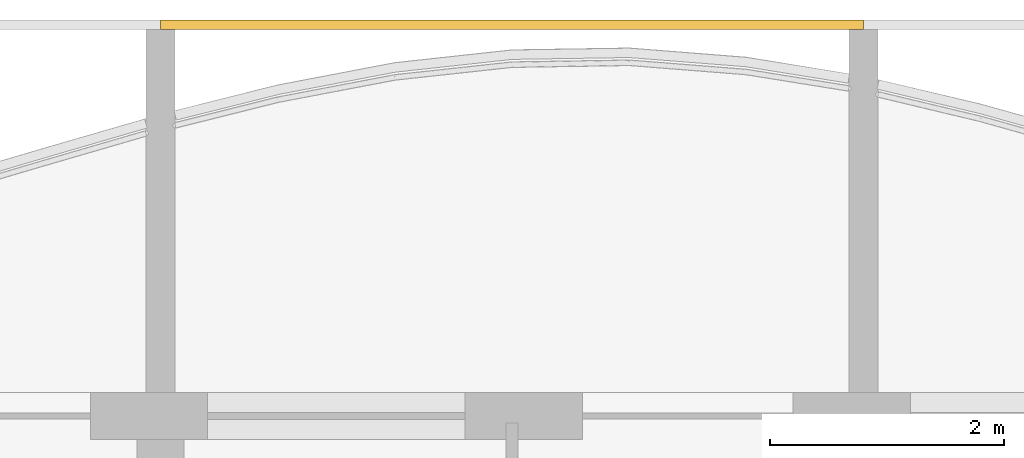
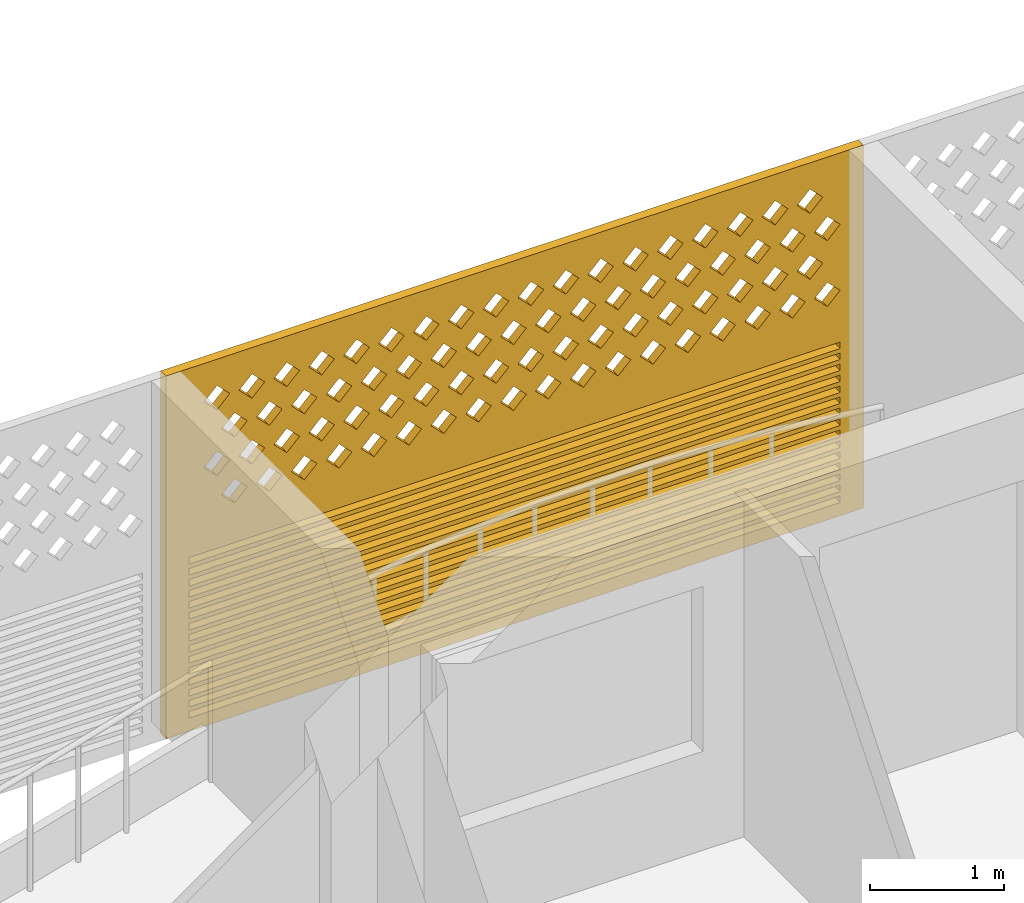
# One storey, part 22 of 39: 1 covering.
"""IFC4 building model written with IfcOpenShell, lengths in metres."""

from ifc_helpers import new_model, si_unit, direction, frame, origin, place, context, subcontext, project, spatial, polyline, outline, extrude, source, transform, mapped, material, material_profile, profile_set, type_object, element, save


model = new_model("IFC4")

# Units and contexts
model_context = context("Model", 3, precision=1e-05, world=origin(), true_north=direction((0.0, 1.0)))
body_context = subcontext(model_context, "Body", "Model", "MODEL_VIEW")
ifc_project = project(units=[si_unit("LENGTHUNIT", "METRE"), si_unit("AREAUNIT", "SQUARE_METRE"), si_unit("VOLUMEUNIT", "CUBIC_METRE"), si_unit("PLANEANGLEUNIT", "RADIAN"), si_unit("MASSUNIT", "GRAM", prefix="KILO")], contexts=[model_context])

# Site, building, storey
site_placement = place(None, origin())
site = spatial("IfcSite", under=ifc_project, at=site_placement, CompositionType="ELEMENT")
building_placement = place(site_placement, origin())
building = spatial("IfcBuilding", under=site, at=building_placement, Name="Poui Terraces", CompositionType="ELEMENT")
storey_placement = place(building_placement, frame((0.0, 0.0, 59.699951171875)))
storey = spatial("IfcBuildingStorey", under=building, at=storey_placement, Name="L16", CompositionType="ELEMENT", Elevation=59.699951171875)

# Covering
ifc_material = material(Name="Terracotta screen", Category="masonry")
ifc_material_profile = material_profile(ifc_material, outline(polyline([(-3.0, -1.64990234375), (3.0, -1.64990234375), (3.0, 1.64990234375), (-3.0, 1.64990234375), (-3.0, -1.64990234375)]), holes=[polyline([(-2.800048828125, 0.39990234375), (-2.68994140625, 0.2900390625), (-2.580078125, 0.39990234375), (-2.68994140625, 0.510009765625), (-2.800048828125, 0.39990234375)]), polyline([(-2.5, 0.39990234375), (-2.389892578125, 0.2900390625), (-2.280029296875, 0.39990234375), (-2.389892578125, 0.510009765625), (-2.5, 0.39990234375)]), polyline([(-2.199951171875, 0.39990234375), (-2.090087890625, 0.2900390625), (-1.97998046875, 0.39990234375), (-2.090087890625, 0.510009765625), (-2.199951171875, 0.39990234375)]), polyline([(-1.89990234375, 0.39990234375), (-1.7900390625, 0.2900390625), (-1.679931640625, 0.39990234375), (-1.7900390625, 0.510009765625), (-1.89990234375, 0.39990234375)]), polyline([(-1.60009765625, 0.39990234375), (-1.489990234375, 0.2900390625), (-1.3798828125, 0.39990234375), (-1.489990234375, 0.510009765625), (-1.60009765625, 0.39990234375)]), polyline([(-1.300048828125, 0.39990234375), (-1.18994140625, 0.2900390625), (-1.080078125, 0.39990234375), (-1.18994140625, 0.510009765625), (-1.300048828125, 0.39990234375)]), polyline([(-1.0, 0.39990234375), (-0.889892578125, 0.2900390625), (-0.780029296875, 0.39990234375), (-0.889892578125, 0.510009765625), (-1.0, 0.39990234375)]), polyline([(-0.699951171875, 0.39990234375), (-0.590087890625, 0.2900390625), (-0.47998046875, 0.39990234375), (-0.590087890625, 0.510009765625), (-0.699951171875, 0.39990234375)]), polyline([(-0.39990234375, 0.39990234375), (-0.2900390625, 0.2900390625), (-0.179931640625, 0.39990234375), (-0.2900390625, 0.510009765625), (-0.39990234375, 0.39990234375)]), polyline([(-0.10009765625, 0.39990234375), (0.010009765625, 0.2900390625), (0.1201171875, 0.39990234375), (0.010009765625, 0.510009765625), (-0.10009765625, 0.39990234375)]), polyline([(0.199951171875, 0.39990234375), (0.31005859375, 0.2900390625), (0.419921875, 0.39990234375), (0.31005859375, 0.510009765625), (0.199951171875, 0.39990234375)]), polyline([(0.5, 0.39990234375), (0.610107421875, 0.2900390625), (0.719970703125, 0.39990234375), (0.610107421875, 0.510009765625), (0.5, 0.39990234375)]), polyline([(0.800048828125, 0.39990234375), (0.909912109375, 0.2900390625), (1.02001953125, 0.39990234375), (0.909912109375, 0.510009765625), (0.800048828125, 0.39990234375)]), polyline([(1.10009765625, 0.39990234375), (1.2099609375, 0.2900390625), (1.320068359375, 0.39990234375), (1.2099609375, 0.510009765625), (1.10009765625, 0.39990234375)]), polyline([(1.39990234375, 0.39990234375), (1.510009765625, 0.2900390625), (1.6201171875, 0.39990234375), (1.510009765625, 0.510009765625), (1.39990234375, 0.39990234375)]), polyline([(1.699951171875, 0.39990234375), (1.81005859375, 0.2900390625), (1.919921875, 0.39990234375), (1.81005859375, 0.510009765625), (1.699951171875, 0.39990234375)]), polyline([(2.0, 0.39990234375), (2.110107421875, 0.2900390625), (2.219970703125, 0.39990234375), (2.110107421875, 0.510009765625), (2.0, 0.39990234375)]), polyline([(2.300048828125, 0.39990234375), (2.409912109375, 0.2900390625), (2.52001953125, 0.39990234375), (2.409912109375, 0.510009765625), (2.300048828125, 0.39990234375)]), polyline([(-2.64990234375, 0.699951171875), (-2.5400390625, 0.590087890625), (-2.429931640625, 0.699951171875), (-2.5400390625, 0.81005859375), (-2.64990234375, 0.699951171875)]), polyline([(-2.35009765625, 0.699951171875), (-2.239990234375, 0.590087890625), (-2.1298828125, 0.699951171875), (-2.239990234375, 0.81005859375), (-2.35009765625, 0.699951171875)]), polyline([(-2.050048828125, 0.699951171875), (-1.93994140625, 0.590087890625), (-1.830078125, 0.699951171875), (-1.93994140625, 0.81005859375), (-2.050048828125, 0.699951171875)]), polyline([(-1.75, 0.699951171875), (-1.639892578125, 0.590087890625), (-1.530029296875, 0.699951171875), (-1.639892578125, 0.81005859375), (-1.75, 0.699951171875)]), polyline([(-1.449951171875, 0.699951171875), (-1.340087890625, 0.590087890625), (-1.22998046875, 0.699951171875), (-1.340087890625, 0.81005859375), (-1.449951171875, 0.699951171875)]), polyline([(-1.14990234375, 0.699951171875), (-1.0400390625, 0.590087890625), (-0.929931640625, 0.699951171875), (-1.0400390625, 0.81005859375), (-1.14990234375, 0.699951171875)]), polyline([(-0.85009765625, 0.699951171875), (-0.739990234375, 0.590087890625), (-0.6298828125, 0.699951171875), (-0.739990234375, 0.81005859375), (-0.85009765625, 0.699951171875)]), polyline([(-0.550048828125, 0.699951171875), (-0.43994140625, 0.590087890625), (-0.330078125, 0.699951171875), (-0.43994140625, 0.81005859375), (-0.550048828125, 0.699951171875)]), polyline([(-0.25, 0.699951171875), (-0.139892578125, 0.590087890625), (-0.030029296875, 0.699951171875), (-0.139892578125, 0.81005859375), (-0.25, 0.699951171875)]), polyline([(0.050048828125, 0.699951171875), (0.159912109375, 0.590087890625), (0.27001953125, 0.699951171875), (0.159912109375, 0.81005859375), (0.050048828125, 0.699951171875)]), polyline([(0.35009765625, 0.699951171875), (0.4599609375, 0.590087890625), (0.570068359375, 0.699951171875), (0.4599609375, 0.81005859375), (0.35009765625, 0.699951171875)]), polyline([(0.64990234375, 0.699951171875), (0.760009765625, 0.590087890625), (0.8701171875, 0.699951171875), (0.760009765625, 0.81005859375), (0.64990234375, 0.699951171875)]), polyline([(0.949951171875, 0.699951171875), (1.06005859375, 0.590087890625), (1.169921875, 0.699951171875), (1.06005859375, 0.81005859375), (0.949951171875, 0.699951171875)]), polyline([(1.25, 0.699951171875), (1.360107421875, 0.590087890625), (1.469970703125, 0.699951171875), (1.360107421875, 0.81005859375), (1.25, 0.699951171875)]), polyline([(1.550048828125, 0.699951171875), (1.659912109375, 0.590087890625), (1.77001953125, 0.699951171875), (1.659912109375, 0.81005859375), (1.550048828125, 0.699951171875)]), polyline([(1.85009765625, 0.699951171875), (1.9599609375, 0.590087890625), (2.070068359375, 0.699951171875), (1.9599609375, 0.81005859375), (1.85009765625, 0.699951171875)]), polyline([(2.14990234375, 0.699951171875), (2.260009765625, 0.590087890625), (2.3701171875, 0.699951171875), (2.260009765625, 0.81005859375), (2.14990234375, 0.699951171875)]), polyline([(2.449951171875, 0.699951171875), (2.56005859375, 0.590087890625), (2.669921875, 0.699951171875), (2.56005859375, 0.81005859375), (2.449951171875, 0.699951171875)]), polyline([(-2.800048828125, 1.0), (-2.68994140625, 0.889892578125), (-2.580078125, 1.0), (-2.68994140625, 1.110107421875), (-2.800048828125, 1.0)]), polyline([(-2.5, 1.0), (-2.389892578125, 0.889892578125), (-2.280029296875, 1.0), (-2.389892578125, 1.110107421875), (-2.5, 1.0)]), polyline([(-2.199951171875, 1.0), (-2.090087890625, 0.889892578125), (-1.97998046875, 1.0), (-2.090087890625, 1.110107421875), (-2.199951171875, 1.0)]), polyline([(-1.89990234375, 1.0), (-1.7900390625, 0.889892578125), (-1.679931640625, 1.0), (-1.7900390625, 1.110107421875), (-1.89990234375, 1.0)]), polyline([(-1.60009765625, 1.0), (-1.489990234375, 0.889892578125), (-1.3798828125, 1.0), (-1.489990234375, 1.110107421875), (-1.60009765625, 1.0)]), polyline([(-1.300048828125, 1.0), (-1.18994140625, 0.889892578125), (-1.080078125, 1.0), (-1.18994140625, 1.110107421875), (-1.300048828125, 1.0)]), polyline([(-1.0, 1.0), (-0.889892578125, 0.889892578125), (-0.780029296875, 1.0), (-0.889892578125, 1.110107421875), (-1.0, 1.0)]), polyline([(-0.699951171875, 1.0), (-0.590087890625, 0.889892578125), (-0.47998046875, 1.0), (-0.590087890625, 1.110107421875), (-0.699951171875, 1.0)]), polyline([(-0.39990234375, 1.0), (-0.2900390625, 0.889892578125), (-0.179931640625, 1.0), (-0.2900390625, 1.110107421875), (-0.39990234375, 1.0)]), polyline([(-0.10009765625, 1.0), (0.010009765625, 0.889892578125), (0.1201171875, 1.0), (0.010009765625, 1.110107421875), (-0.10009765625, 1.0)]), polyline([(0.199951171875, 1.0), (0.31005859375, 0.889892578125), (0.419921875, 1.0), (0.31005859375, 1.110107421875), (0.199951171875, 1.0)]), polyline([(0.5, 1.0), (0.610107421875, 0.889892578125), (0.719970703125, 1.0), (0.610107421875, 1.110107421875), (0.5, 1.0)]), polyline([(0.800048828125, 1.0), (0.909912109375, 0.889892578125), (1.02001953125, 1.0), (0.909912109375, 1.110107421875), (0.800048828125, 1.0)]), polyline([(1.10009765625, 1.0), (1.2099609375, 0.889892578125), (1.320068359375, 1.0), (1.2099609375, 1.110107421875), (1.10009765625, 1.0)]), polyline([(1.39990234375, 1.0), (1.510009765625, 0.889892578125), (1.6201171875, 1.0), (1.510009765625, 1.110107421875), (1.39990234375, 1.0)]), polyline([(1.699951171875, 1.0), (1.81005859375, 0.889892578125), (1.919921875, 1.0), (1.81005859375, 1.110107421875), (1.699951171875, 1.0)]), polyline([(2.0, 1.0), (2.110107421875, 0.889892578125), (2.219970703125, 1.0), (2.110107421875, 1.110107421875), (2.0, 1.0)]), polyline([(2.300048828125, 1.0), (2.409912109375, 0.889892578125), (2.52001953125, 1.0), (2.409912109375, 1.110107421875), (2.300048828125, 1.0)]), polyline([(-2.64990234375, 1.300048828125), (-2.5400390625, 1.18994140625), (-2.429931640625, 1.300048828125), (-2.5400390625, 1.409912109375), (-2.64990234375, 1.300048828125)]), polyline([(-2.35009765625, 1.300048828125), (-2.239990234375, 1.18994140625), (-2.1298828125, 1.300048828125), (-2.239990234375, 1.409912109375), (-2.35009765625, 1.300048828125)]), polyline([(-2.050048828125, 1.300048828125), (-1.93994140625, 1.18994140625), (-1.830078125, 1.300048828125), (-1.93994140625, 1.409912109375), (-2.050048828125, 1.300048828125)]), polyline([(-1.75, 1.300048828125), (-1.639892578125, 1.18994140625), (-1.530029296875, 1.300048828125), (-1.639892578125, 1.409912109375), (-1.75, 1.300048828125)]), polyline([(-1.449951171875, 1.300048828125), (-1.340087890625, 1.18994140625), (-1.22998046875, 1.300048828125), (-1.340087890625, 1.409912109375), (-1.449951171875, 1.300048828125)]), polyline([(-1.14990234375, 1.300048828125), (-1.0400390625, 1.18994140625), (-0.929931640625, 1.300048828125), (-1.0400390625, 1.409912109375), (-1.14990234375, 1.300048828125)]), polyline([(-0.85009765625, 1.300048828125), (-0.739990234375, 1.18994140625), (-0.6298828125, 1.300048828125), (-0.739990234375, 1.409912109375), (-0.85009765625, 1.300048828125)]), polyline([(-0.550048828125, 1.300048828125), (-0.43994140625, 1.18994140625), (-0.330078125, 1.300048828125), (-0.43994140625, 1.409912109375), (-0.550048828125, 1.300048828125)]), polyline([(-0.25, 1.300048828125), (-0.139892578125, 1.18994140625), (-0.030029296875, 1.300048828125), (-0.139892578125, 1.409912109375), (-0.25, 1.300048828125)]), polyline([(0.050048828125, 1.300048828125), (0.159912109375, 1.18994140625), (0.27001953125, 1.300048828125), (0.159912109375, 1.409912109375), (0.050048828125, 1.300048828125)]), polyline([(0.35009765625, 1.300048828125), (0.4599609375, 1.18994140625), (0.570068359375, 1.300048828125), (0.4599609375, 1.409912109375), (0.35009765625, 1.300048828125)]), polyline([(0.64990234375, 1.300048828125), (0.760009765625, 1.18994140625), (0.8701171875, 1.300048828125), (0.760009765625, 1.409912109375), (0.64990234375, 1.300048828125)]), polyline([(0.949951171875, 1.300048828125), (1.06005859375, 1.18994140625), (1.169921875, 1.300048828125), (1.06005859375, 1.409912109375), (0.949951171875, 1.300048828125)]), polyline([(1.25, 1.300048828125), (1.360107421875, 1.18994140625), (1.469970703125, 1.300048828125), (1.360107421875, 1.409912109375), (1.25, 1.300048828125)]), polyline([(1.550048828125, 1.300048828125), (1.659912109375, 1.18994140625), (1.77001953125, 1.300048828125), (1.659912109375, 1.409912109375), (1.550048828125, 1.300048828125)]), polyline([(1.85009765625, 1.300048828125), (1.9599609375, 1.18994140625), (2.070068359375, 1.300048828125), (1.9599609375, 1.409912109375), (1.85009765625, 1.300048828125)]), polyline([(2.14990234375, 1.300048828125), (2.260009765625, 1.18994140625), (2.3701171875, 1.300048828125), (2.260009765625, 1.409912109375), (2.14990234375, 1.300048828125)]), polyline([(2.449951171875, 1.300048828125), (2.56005859375, 1.18994140625), (2.669921875, 1.300048828125), (2.56005859375, 1.409912109375), (2.449951171875, 1.300048828125)]), polyline([(-2.800048828125, -1.530029296875), (2.800048828125, -1.530029296875), (2.800048828125, -1.469970703125), (-2.800048828125, -1.469970703125), (-2.800048828125, -1.530029296875)]), polyline([(-2.800048828125, -1.429931640625), (2.800048828125, -1.429931640625), (2.800048828125, -1.3701171875), (-2.800048828125, -1.3701171875), (-2.800048828125, -1.429931640625)]), polyline([(-2.800048828125, -1.330078125), (2.800048828125, -1.330078125), (2.800048828125, -1.27001953125), (-2.800048828125, -1.27001953125), (-2.800048828125, -1.330078125)]), polyline([(-2.800048828125, -1.22998046875), (2.800048828125, -1.22998046875), (2.800048828125, -1.169921875), (-2.800048828125, -1.169921875), (-2.800048828125, -1.22998046875)]), polyline([(-2.800048828125, -1.1298828125), (2.800048828125, -1.1298828125), (2.800048828125, -1.070068359375), (-2.800048828125, -1.070068359375), (-2.800048828125, -1.1298828125)]), polyline([(-2.800048828125, -1.030029296875), (2.800048828125, -1.030029296875), (2.800048828125, -0.969970703125), (-2.800048828125, -0.969970703125), (-2.800048828125, -1.030029296875)]), polyline([(-2.800048828125, -0.929931640625), (2.800048828125, -0.929931640625), (2.800048828125, -0.8701171875), (-2.800048828125, -0.8701171875), (-2.800048828125, -0.929931640625)]), polyline([(-2.800048828125, -0.830078125), (2.800048828125, -0.830078125), (2.800048828125, -0.77001953125), (-2.800048828125, -0.77001953125), (-2.800048828125, -0.830078125)]), polyline([(-2.800048828125, -0.72998046875), (2.800048828125, -0.72998046875), (2.800048828125, -0.669921875), (-2.800048828125, -0.669921875), (-2.800048828125, -0.72998046875)]), polyline([(-2.800048828125, -0.6298828125), (2.800048828125, -0.6298828125), (2.800048828125, -0.570068359375), (-2.800048828125, -0.570068359375), (-2.800048828125, -0.6298828125)]), polyline([(-2.800048828125, -0.530029296875), (2.800048828125, -0.530029296875), (2.800048828125, -0.469970703125), (-2.800048828125, -0.469970703125), (-2.800048828125, -0.530029296875)]), polyline([(-2.800048828125, -0.429931640625), (2.800048828125, -0.429931640625), (2.800048828125, -0.3701171875), (-2.800048828125, -0.3701171875), (-2.800048828125, -0.429931640625)]), polyline([(-2.800048828125, -0.330078125), (2.800048828125, -0.330078125), (2.800048828125, -0.27001953125), (-2.800048828125, -0.27001953125), (-2.800048828125, -0.330078125)]), polyline([(-2.800048828125, -0.22998046875), (2.800048828125, -0.22998046875), (2.800048828125, -0.169921875), (-2.800048828125, -0.169921875), (-2.800048828125, -0.22998046875)]), polyline([(-2.800048828125, -0.1298828125), (2.800048828125, -0.1298828125), (2.800048828125, -0.070068359375), (-2.800048828125, -0.070068359375), (-2.800048828125, -0.1298828125)])]), Name="TERRACOTTA SCREEN AND JALOUSIE LOUVRE 6000X3300")
ifc_profile_set = profile_set([ifc_material_profile], Name="Terracotta screen")
covering_type = type_object("IfcCoveringType", Name="TERRACOTTA SCREEN AND JALOUSIE LOUVRE 6000X3300", PredefinedType="CLADDING", material=ifc_profile_set)
shared_shape = source(origin(), body_context, "Body", "SweptSolid", [
    extrude(outline(polyline([(-3.0, -1.64990234375), (3.0, -1.64990234375), (3.0, 1.64990234375), (-3.0, 1.64990234375), (-3.0, -1.64990234375)]), holes=[polyline([(-2.800048828125, 0.39990234375), (-2.68994140625, 0.2900390625), (-2.580078125, 0.39990234375), (-2.68994140625, 0.510009765625), (-2.800048828125, 0.39990234375)]), polyline([(-2.5, 0.39990234375), (-2.389892578125, 0.2900390625), (-2.280029296875, 0.39990234375), (-2.389892578125, 0.510009765625), (-2.5, 0.39990234375)]), polyline([(-2.199951171875, 0.39990234375), (-2.090087890625, 0.2900390625), (-1.97998046875, 0.39990234375), (-2.090087890625, 0.510009765625), (-2.199951171875, 0.39990234375)]), polyline([(-1.89990234375, 0.39990234375), (-1.7900390625, 0.2900390625), (-1.679931640625, 0.39990234375), (-1.7900390625, 0.510009765625), (-1.89990234375, 0.39990234375)]), polyline([(-1.60009765625, 0.39990234375), (-1.489990234375, 0.2900390625), (-1.3798828125, 0.39990234375), (-1.489990234375, 0.510009765625), (-1.60009765625, 0.39990234375)]), polyline([(-1.300048828125, 0.39990234375), (-1.18994140625, 0.2900390625), (-1.080078125, 0.39990234375), (-1.18994140625, 0.510009765625), (-1.300048828125, 0.39990234375)]), polyline([(-1.0, 0.39990234375), (-0.889892578125, 0.2900390625), (-0.780029296875, 0.39990234375), (-0.889892578125, 0.510009765625), (-1.0, 0.39990234375)]), polyline([(-0.699951171875, 0.39990234375), (-0.590087890625, 0.2900390625), (-0.47998046875, 0.39990234375), (-0.590087890625, 0.510009765625), (-0.699951171875, 0.39990234375)]), polyline([(-0.39990234375, 0.39990234375), (-0.2900390625, 0.2900390625), (-0.179931640625, 0.39990234375), (-0.2900390625, 0.510009765625), (-0.39990234375, 0.39990234375)]), polyline([(-0.10009765625, 0.39990234375), (0.010009765625, 0.2900390625), (0.1201171875, 0.39990234375), (0.010009765625, 0.510009765625), (-0.10009765625, 0.39990234375)]), polyline([(0.199951171875, 0.39990234375), (0.31005859375, 0.2900390625), (0.419921875, 0.39990234375), (0.31005859375, 0.510009765625), (0.199951171875, 0.39990234375)]), polyline([(0.5, 0.39990234375), (0.610107421875, 0.2900390625), (0.719970703125, 0.39990234375), (0.610107421875, 0.510009765625), (0.5, 0.39990234375)]), polyline([(0.800048828125, 0.39990234375), (0.909912109375, 0.2900390625), (1.02001953125, 0.39990234375), (0.909912109375, 0.510009765625), (0.800048828125, 0.39990234375)]), polyline([(1.10009765625, 0.39990234375), (1.2099609375, 0.2900390625), (1.320068359375, 0.39990234375), (1.2099609375, 0.510009765625), (1.10009765625, 0.39990234375)]), polyline([(1.39990234375, 0.39990234375), (1.510009765625, 0.2900390625), (1.6201171875, 0.39990234375), (1.510009765625, 0.510009765625), (1.39990234375, 0.39990234375)]), polyline([(1.699951171875, 0.39990234375), (1.81005859375, 0.2900390625), (1.919921875, 0.39990234375), (1.81005859375, 0.510009765625), (1.699951171875, 0.39990234375)]), polyline([(2.0, 0.39990234375), (2.110107421875, 0.2900390625), (2.219970703125, 0.39990234375), (2.110107421875, 0.510009765625), (2.0, 0.39990234375)]), polyline([(2.300048828125, 0.39990234375), (2.409912109375, 0.2900390625), (2.52001953125, 0.39990234375), (2.409912109375, 0.510009765625), (2.300048828125, 0.39990234375)]), polyline([(-2.64990234375, 0.699951171875), (-2.5400390625, 0.590087890625), (-2.429931640625, 0.699951171875), (-2.5400390625, 0.81005859375), (-2.64990234375, 0.699951171875)]), polyline([(-2.35009765625, 0.699951171875), (-2.239990234375, 0.590087890625), (-2.1298828125, 0.699951171875), (-2.239990234375, 0.81005859375), (-2.35009765625, 0.699951171875)]), polyline([(-2.050048828125, 0.699951171875), (-1.93994140625, 0.590087890625), (-1.830078125, 0.699951171875), (-1.93994140625, 0.81005859375), (-2.050048828125, 0.699951171875)]), polyline([(-1.75, 0.699951171875), (-1.639892578125, 0.590087890625), (-1.530029296875, 0.699951171875), (-1.639892578125, 0.81005859375), (-1.75, 0.699951171875)]), polyline([(-1.449951171875, 0.699951171875), (-1.340087890625, 0.590087890625), (-1.22998046875, 0.699951171875), (-1.340087890625, 0.81005859375), (-1.449951171875, 0.699951171875)]), polyline([(-1.14990234375, 0.699951171875), (-1.0400390625, 0.590087890625), (-0.929931640625, 0.699951171875), (-1.0400390625, 0.81005859375), (-1.14990234375, 0.699951171875)]), polyline([(-0.85009765625, 0.699951171875), (-0.739990234375, 0.590087890625), (-0.6298828125, 0.699951171875), (-0.739990234375, 0.81005859375), (-0.85009765625, 0.699951171875)]), polyline([(-0.550048828125, 0.699951171875), (-0.43994140625, 0.590087890625), (-0.330078125, 0.699951171875), (-0.43994140625, 0.81005859375), (-0.550048828125, 0.699951171875)]), polyline([(-0.25, 0.699951171875), (-0.139892578125, 0.590087890625), (-0.030029296875, 0.699951171875), (-0.139892578125, 0.81005859375), (-0.25, 0.699951171875)]), polyline([(0.050048828125, 0.699951171875), (0.159912109375, 0.590087890625), (0.27001953125, 0.699951171875), (0.159912109375, 0.81005859375), (0.050048828125, 0.699951171875)]), polyline([(0.35009765625, 0.699951171875), (0.4599609375, 0.590087890625), (0.570068359375, 0.699951171875), (0.4599609375, 0.81005859375), (0.35009765625, 0.699951171875)]), polyline([(0.64990234375, 0.699951171875), (0.760009765625, 0.590087890625), (0.8701171875, 0.699951171875), (0.760009765625, 0.81005859375), (0.64990234375, 0.699951171875)]), polyline([(0.949951171875, 0.699951171875), (1.06005859375, 0.590087890625), (1.169921875, 0.699951171875), (1.06005859375, 0.81005859375), (0.949951171875, 0.699951171875)]), polyline([(1.25, 0.699951171875), (1.360107421875, 0.590087890625), (1.469970703125, 0.699951171875), (1.360107421875, 0.81005859375), (1.25, 0.699951171875)]), polyline([(1.550048828125, 0.699951171875), (1.659912109375, 0.590087890625), (1.77001953125, 0.699951171875), (1.659912109375, 0.81005859375), (1.550048828125, 0.699951171875)]), polyline([(1.85009765625, 0.699951171875), (1.9599609375, 0.590087890625), (2.070068359375, 0.699951171875), (1.9599609375, 0.81005859375), (1.85009765625, 0.699951171875)]), polyline([(2.14990234375, 0.699951171875), (2.260009765625, 0.590087890625), (2.3701171875, 0.699951171875), (2.260009765625, 0.81005859375), (2.14990234375, 0.699951171875)]), polyline([(2.449951171875, 0.699951171875), (2.56005859375, 0.590087890625), (2.669921875, 0.699951171875), (2.56005859375, 0.81005859375), (2.449951171875, 0.699951171875)]), polyline([(-2.800048828125, 1.0), (-2.68994140625, 0.889892578125), (-2.580078125, 1.0), (-2.68994140625, 1.110107421875), (-2.800048828125, 1.0)]), polyline([(-2.5, 1.0), (-2.389892578125, 0.889892578125), (-2.280029296875, 1.0), (-2.389892578125, 1.110107421875), (-2.5, 1.0)]), polyline([(-2.199951171875, 1.0), (-2.090087890625, 0.889892578125), (-1.97998046875, 1.0), (-2.090087890625, 1.110107421875), (-2.199951171875, 1.0)]), polyline([(-1.89990234375, 1.0), (-1.7900390625, 0.889892578125), (-1.679931640625, 1.0), (-1.7900390625, 1.110107421875), (-1.89990234375, 1.0)]), polyline([(-1.60009765625, 1.0), (-1.489990234375, 0.889892578125), (-1.3798828125, 1.0), (-1.489990234375, 1.110107421875), (-1.60009765625, 1.0)]), polyline([(-1.300048828125, 1.0), (-1.18994140625, 0.889892578125), (-1.080078125, 1.0), (-1.18994140625, 1.110107421875), (-1.300048828125, 1.0)]), polyline([(-1.0, 1.0), (-0.889892578125, 0.889892578125), (-0.780029296875, 1.0), (-0.889892578125, 1.110107421875), (-1.0, 1.0)]), polyline([(-0.699951171875, 1.0), (-0.590087890625, 0.889892578125), (-0.47998046875, 1.0), (-0.590087890625, 1.110107421875), (-0.699951171875, 1.0)]), polyline([(-0.39990234375, 1.0), (-0.2900390625, 0.889892578125), (-0.179931640625, 1.0), (-0.2900390625, 1.110107421875), (-0.39990234375, 1.0)]), polyline([(-0.10009765625, 1.0), (0.010009765625, 0.889892578125), (0.1201171875, 1.0), (0.010009765625, 1.110107421875), (-0.10009765625, 1.0)]), polyline([(0.199951171875, 1.0), (0.31005859375, 0.889892578125), (0.419921875, 1.0), (0.31005859375, 1.110107421875), (0.199951171875, 1.0)]), polyline([(0.5, 1.0), (0.610107421875, 0.889892578125), (0.719970703125, 1.0), (0.610107421875, 1.110107421875), (0.5, 1.0)]), polyline([(0.800048828125, 1.0), (0.909912109375, 0.889892578125), (1.02001953125, 1.0), (0.909912109375, 1.110107421875), (0.800048828125, 1.0)]), polyline([(1.10009765625, 1.0), (1.2099609375, 0.889892578125), (1.320068359375, 1.0), (1.2099609375, 1.110107421875), (1.10009765625, 1.0)]), polyline([(1.39990234375, 1.0), (1.510009765625, 0.889892578125), (1.6201171875, 1.0), (1.510009765625, 1.110107421875), (1.39990234375, 1.0)]), polyline([(1.699951171875, 1.0), (1.81005859375, 0.889892578125), (1.919921875, 1.0), (1.81005859375, 1.110107421875), (1.699951171875, 1.0)]), polyline([(2.0, 1.0), (2.110107421875, 0.889892578125), (2.219970703125, 1.0), (2.110107421875, 1.110107421875), (2.0, 1.0)]), polyline([(2.300048828125, 1.0), (2.409912109375, 0.889892578125), (2.52001953125, 1.0), (2.409912109375, 1.110107421875), (2.300048828125, 1.0)]), polyline([(-2.64990234375, 1.300048828125), (-2.5400390625, 1.18994140625), (-2.429931640625, 1.300048828125), (-2.5400390625, 1.409912109375), (-2.64990234375, 1.300048828125)]), polyline([(-2.35009765625, 1.300048828125), (-2.239990234375, 1.18994140625), (-2.1298828125, 1.300048828125), (-2.239990234375, 1.409912109375), (-2.35009765625, 1.300048828125)]), polyline([(-2.050048828125, 1.300048828125), (-1.93994140625, 1.18994140625), (-1.830078125, 1.300048828125), (-1.93994140625, 1.409912109375), (-2.050048828125, 1.300048828125)]), polyline([(-1.75, 1.300048828125), (-1.639892578125, 1.18994140625), (-1.530029296875, 1.300048828125), (-1.639892578125, 1.409912109375), (-1.75, 1.300048828125)]), polyline([(-1.449951171875, 1.300048828125), (-1.340087890625, 1.18994140625), (-1.22998046875, 1.300048828125), (-1.340087890625, 1.409912109375), (-1.449951171875, 1.300048828125)]), polyline([(-1.14990234375, 1.300048828125), (-1.0400390625, 1.18994140625), (-0.929931640625, 1.300048828125), (-1.0400390625, 1.409912109375), (-1.14990234375, 1.300048828125)]), polyline([(-0.85009765625, 1.300048828125), (-0.739990234375, 1.18994140625), (-0.6298828125, 1.300048828125), (-0.739990234375, 1.409912109375), (-0.85009765625, 1.300048828125)]), polyline([(-0.550048828125, 1.300048828125), (-0.43994140625, 1.18994140625), (-0.330078125, 1.300048828125), (-0.43994140625, 1.409912109375), (-0.550048828125, 1.300048828125)]), polyline([(-0.25, 1.300048828125), (-0.139892578125, 1.18994140625), (-0.030029296875, 1.300048828125), (-0.139892578125, 1.409912109375), (-0.25, 1.300048828125)]), polyline([(0.050048828125, 1.300048828125), (0.159912109375, 1.18994140625), (0.27001953125, 1.300048828125), (0.159912109375, 1.409912109375), (0.050048828125, 1.300048828125)]), polyline([(0.35009765625, 1.300048828125), (0.4599609375, 1.18994140625), (0.570068359375, 1.300048828125), (0.4599609375, 1.409912109375), (0.35009765625, 1.300048828125)]), polyline([(0.64990234375, 1.300048828125), (0.760009765625, 1.18994140625), (0.8701171875, 1.300048828125), (0.760009765625, 1.409912109375), (0.64990234375, 1.300048828125)]), polyline([(0.949951171875, 1.300048828125), (1.06005859375, 1.18994140625), (1.169921875, 1.300048828125), (1.06005859375, 1.409912109375), (0.949951171875, 1.300048828125)]), polyline([(1.25, 1.300048828125), (1.360107421875, 1.18994140625), (1.469970703125, 1.300048828125), (1.360107421875, 1.409912109375), (1.25, 1.300048828125)]), polyline([(1.550048828125, 1.300048828125), (1.659912109375, 1.18994140625), (1.77001953125, 1.300048828125), (1.659912109375, 1.409912109375), (1.550048828125, 1.300048828125)]), polyline([(1.85009765625, 1.300048828125), (1.9599609375, 1.18994140625), (2.070068359375, 1.300048828125), (1.9599609375, 1.409912109375), (1.85009765625, 1.300048828125)]), polyline([(2.14990234375, 1.300048828125), (2.260009765625, 1.18994140625), (2.3701171875, 1.300048828125), (2.260009765625, 1.409912109375), (2.14990234375, 1.300048828125)]), polyline([(2.449951171875, 1.300048828125), (2.56005859375, 1.18994140625), (2.669921875, 1.300048828125), (2.56005859375, 1.409912109375), (2.449951171875, 1.300048828125)]), polyline([(-2.800048828125, -1.530029296875), (2.800048828125, -1.530029296875), (2.800048828125, -1.469970703125), (-2.800048828125, -1.469970703125), (-2.800048828125, -1.530029296875)]), polyline([(-2.800048828125, -1.429931640625), (2.800048828125, -1.429931640625), (2.800048828125, -1.3701171875), (-2.800048828125, -1.3701171875), (-2.800048828125, -1.429931640625)]), polyline([(-2.800048828125, -1.330078125), (2.800048828125, -1.330078125), (2.800048828125, -1.27001953125), (-2.800048828125, -1.27001953125), (-2.800048828125, -1.330078125)]), polyline([(-2.800048828125, -1.22998046875), (2.800048828125, -1.22998046875), (2.800048828125, -1.169921875), (-2.800048828125, -1.169921875), (-2.800048828125, -1.22998046875)]), polyline([(-2.800048828125, -1.1298828125), (2.800048828125, -1.1298828125), (2.800048828125, -1.070068359375), (-2.800048828125, -1.070068359375), (-2.800048828125, -1.1298828125)]), polyline([(-2.800048828125, -1.030029296875), (2.800048828125, -1.030029296875), (2.800048828125, -0.969970703125), (-2.800048828125, -0.969970703125), (-2.800048828125, -1.030029296875)]), polyline([(-2.800048828125, -0.929931640625), (2.800048828125, -0.929931640625), (2.800048828125, -0.8701171875), (-2.800048828125, -0.8701171875), (-2.800048828125, -0.929931640625)]), polyline([(-2.800048828125, -0.830078125), (2.800048828125, -0.830078125), (2.800048828125, -0.77001953125), (-2.800048828125, -0.77001953125), (-2.800048828125, -0.830078125)]), polyline([(-2.800048828125, -0.72998046875), (2.800048828125, -0.72998046875), (2.800048828125, -0.669921875), (-2.800048828125, -0.669921875), (-2.800048828125, -0.72998046875)]), polyline([(-2.800048828125, -0.6298828125), (2.800048828125, -0.6298828125), (2.800048828125, -0.570068359375), (-2.800048828125, -0.570068359375), (-2.800048828125, -0.6298828125)]), polyline([(-2.800048828125, -0.530029296875), (2.800048828125, -0.530029296875), (2.800048828125, -0.469970703125), (-2.800048828125, -0.469970703125), (-2.800048828125, -0.530029296875)]), polyline([(-2.800048828125, -0.429931640625), (2.800048828125, -0.429931640625), (2.800048828125, -0.3701171875), (-2.800048828125, -0.3701171875), (-2.800048828125, -0.429931640625)]), polyline([(-2.800048828125, -0.330078125), (2.800048828125, -0.330078125), (2.800048828125, -0.27001953125), (-2.800048828125, -0.27001953125), (-2.800048828125, -0.330078125)]), polyline([(-2.800048828125, -0.22998046875), (2.800048828125, -0.22998046875), (2.800048828125, -0.169921875), (-2.800048828125, -0.169921875), (-2.800048828125, -0.22998046875)]), polyline([(-2.800048828125, -0.1298828125), (2.800048828125, -0.1298828125), (2.800048828125, -0.070068359375), (-2.800048828125, -0.070068359375), (-2.800048828125, -0.1298828125)])]), origin(), (0.0, 0.0, 1.0), 0.079833984375),
])
covering_placement = place(storey_placement, frame((21.0, 48.10009765625, 1.449951171875), z_axis=(0.0, 1.0, 0.0), x_axis=(-1.0, 0.0, 0.0)))
element("IfcCovering", 1, at=covering_placement, inside=storey, type_object=covering_type, Name="SOLAR SCREEN AND JALOUSIE LOUVRE", PredefinedType="CLADDING", context=body_context, shape_type="MappedRepresentation", body=[
    mapped(shared_shape, transform((0.0, 0.0, 0.0))),
])

save(model, "model.ifc")
